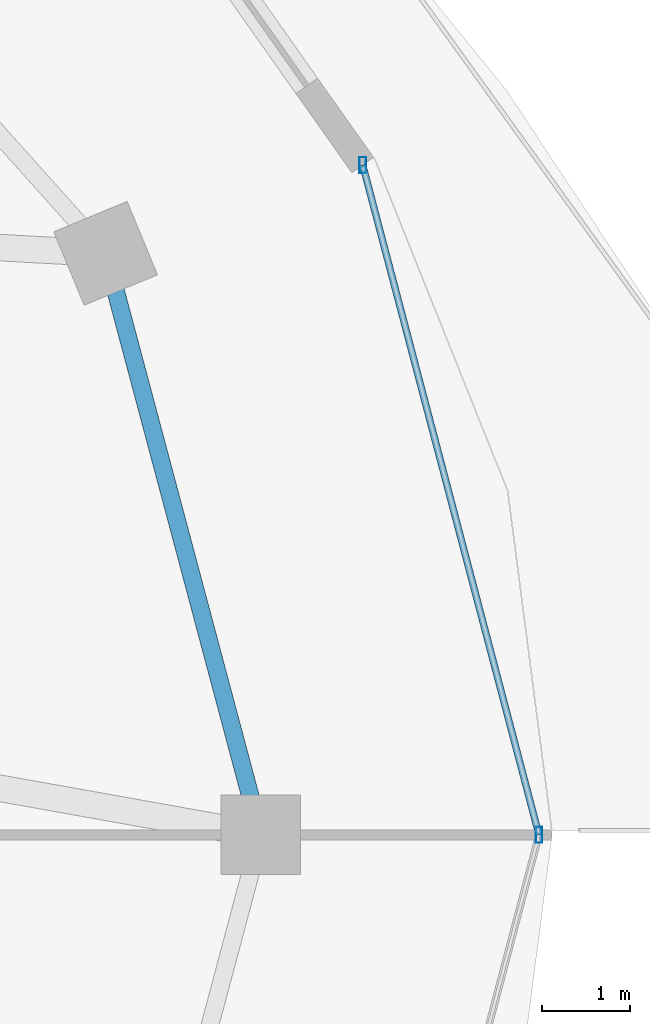
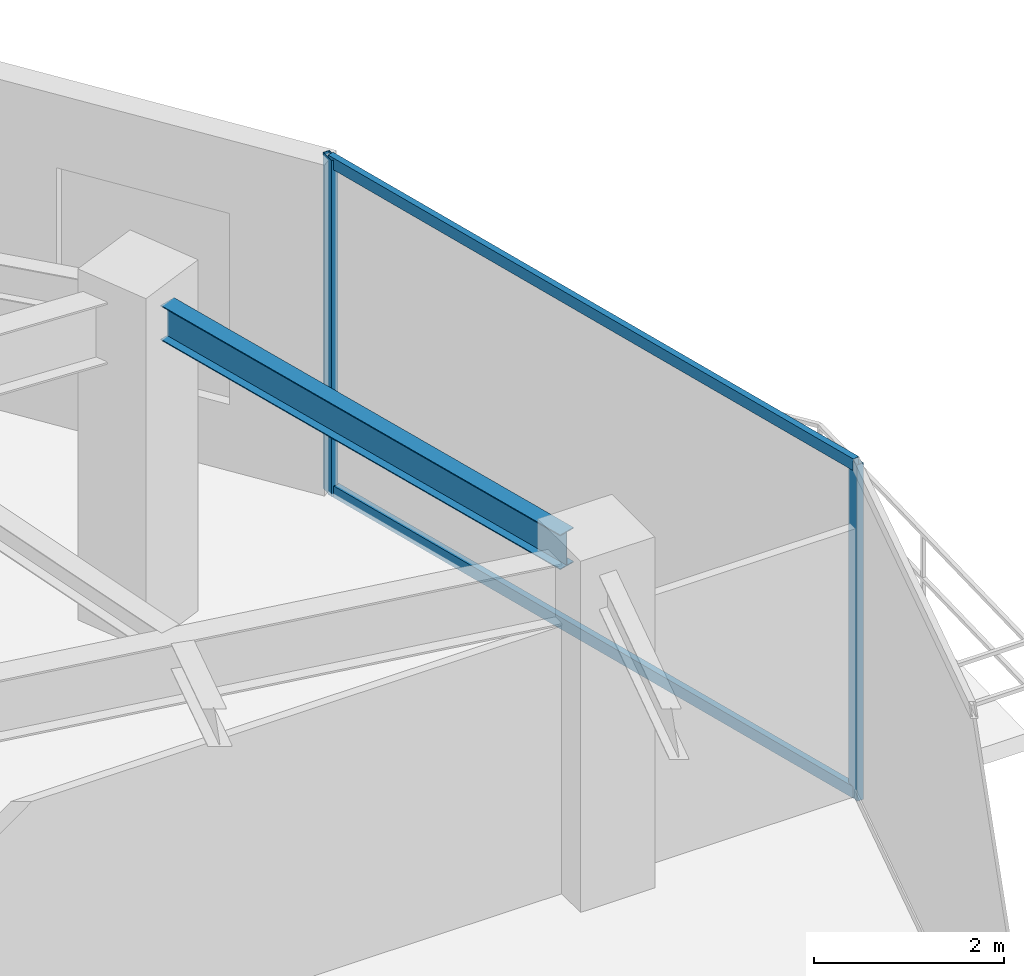
# One storey, part 15 of 27: 4 members, 1 beam, 1 element without a shape of its own.
"""IFC4 building model written with IfcOpenShell, lengths in metres."""

import ifcopenshell
import ifcopenshell.guid

model = None  # the IFC model being written
_history = None  # IfcOwnerHistory: only IFC2X3 demands one
_inside = {}  # id of a spatial element -> (the spatial element, [elements in it])
_under = {}  # id of a project, library or spatial element -> (it, [spatial elements below it])
_declared = {}  # id of a project -> (the project, [libraries it declares])
_typed = {}  # id of a type object -> (the type object, [elements of that type])
_made_of = {}  # id of a material, layer set ... -> (it, [elements and type objects made of it])


def new_model(schema):
    """Start an empty IFC model of exactly this schema.

    Asked for "IFC4X3", IfcOpenShell would pick the latest addendum, in which some entities
    have other attributes; the version numbers below select the first issue.
    IFC2X3 requires an IfcOwnerHistory on every rooted entity: one is made here for all.
    """
    global model, _history
    if schema == "IFC4X3":
        model = ifcopenshell.file(schema_version=(4, 3, 0, 0))
    else:
        model = ifcopenshell.file(schema=schema)
    _inside.clear()
    _under.clear()
    _declared.clear()
    _typed.clear()
    _made_of.clear()
    _history = None
    if model.schema == "IFC2X3":
        org = make("IfcOrganization", Name="unknown")
        user = make(
            "IfcPersonAndOrganization",
            ThePerson=make("IfcPerson", FamilyName="unknown"),
            TheOrganization=org,
        )
        app = make(
            "IfcApplication",
            ApplicationDeveloper=org,
            Version="unknown",
            ApplicationFullName="unknown",
            ApplicationIdentifier="unknown",
        )
        _history = make(
            "IfcOwnerHistory",
            OwningUser=user,
            OwningApplication=app,
            ChangeAction="ADDED",
            CreationDate=0,
        )
    return model


def make(cls, **values):
    """One entity of the class cls with the attributes given. An attribute that is None is left unset."""
    return model.create_entity(
        cls, **{name: value for name, value in values.items() if value is not None}
    )


def rooted(cls, **values):
    """An entity with a GlobalId (a new one), such as an element, a storey or a relation."""
    return make(cls, GlobalId=ifcopenshell.guid.new(), OwnerHistory=_history, **values)


def si_unit(unit_type, name, prefix=None):
    """IfcSIUnit, for example si_unit("LENGTHUNIT", "METRE", prefix="MILLI")."""
    return make("IfcSIUnit", UnitType=unit_type, Prefix=prefix, Name=name)


def assignment(units):
    """IfcUnitAssignment: the units of a project."""
    return None if units is None else make("IfcUnitAssignment", Units=units)


def point(xyz):
    """IfcCartesianPoint."""
    return None if xyz is None else make("IfcCartesianPoint", Coordinates=xyz)


def direction(xyz):
    """IfcDirection."""
    return None if xyz is None else make("IfcDirection", DirectionRatios=xyz)


def frame(location, z_axis=None, x_axis=None):
    """IfcAxis2Placement3D, a coordinate frame: its origin and axes. An axis left out is left unset."""
    return make(
        "IfcAxis2Placement3D",
        Location=point(location),
        Axis=direction(z_axis),
        RefDirection=direction(x_axis),
    )


def frame_2d(location, x_axis=None):
    """IfcAxis2Placement2D, a coordinate frame in the plane: its origin and x axis."""
    return make(
        "IfcAxis2Placement2D", Location=point(location), RefDirection=direction(x_axis)
    )


def origin():
    """The frame at (0, 0, 0) with its axes left unset."""
    return frame((0.0, 0.0, 0.0))


def origin_2d():
    """The frame at (0, 0) in the plane with its x axis left unset."""
    return frame_2d((0.0, 0.0))


def place(relative_to, where):
    """IfcLocalPlacement: puts the frame where relative to a parent placement (None: the world)."""
    return make(
        "IfcLocalPlacement", PlacementRelTo=relative_to, RelativePlacement=where
    )


def context(
    kind, dimensions, precision=None, world=None, true_north=None, identifier=None
):
    """IfcGeometricRepresentationContext, for example the 3D "Model" context."""
    return make(
        "IfcGeometricRepresentationContext",
        ContextIdentifier=identifier,
        ContextType=kind,
        CoordinateSpaceDimension=dimensions,
        Precision=precision,
        WorldCoordinateSystem=world,
        TrueNorth=true_north,
    )


def subcontext(parent, identifier, kind, view, scale=None):
    """IfcGeometricRepresentationSubContext, for example "Body" below "Model"."""
    return make(
        "IfcGeometricRepresentationSubContext",
        ContextIdentifier=identifier,
        ContextType=kind,
        ParentContext=parent,
        TargetScale=scale,
        TargetView=view,
    )


def project(units=None, contexts=None):
    """IfcProject with its units and contexts."""
    return rooted(
        "IfcProject",
        Name="project",
        RepresentationContexts=contexts,
        UnitsInContext=assignment(units),
    )


def spatial(cls, under=None, at=None, **own):
    """A site, building, storey or space (cls), placed at a placement, below another one or the project."""
    s = rooted(cls, ObjectPlacement=at, **own)
    if under is not None:
        _under.setdefault(under.id(), (under, []))[1].append(s)
    return s


def profile(cls, at=None, kind="AREA", **sizes):
    """A parametric profile (cls). Its sizes go by their IFC names, for example OverallWidth=200.0."""
    return make(cls, ProfileType=kind, Position=at, **sizes)


def hollow_rectangle(**sizes):
    """IfcRectangleHollowProfileDef."""
    return profile("IfcRectangleHollowProfileDef", **sizes)


def i_section(**sizes):
    """IfcIShapeProfileDef."""
    return profile("IfcIShapeProfileDef", **sizes)


def extrude(swept, where, along, depth):
    """IfcExtrudedAreaSolid: the profile swept, set in the frame where, extruded along a direction by depth."""
    return make(
        "IfcExtrudedAreaSolid",
        SweptArea=swept,
        Position=where,
        ExtrudedDirection=direction(along),
        Depth=depth,
    )


def shape(context_of_items, identifier, shape_type, items):
    """IfcShapeRepresentation: the items that make up one representation, for example the "Body"."""
    return make(
        "IfcShapeRepresentation",
        ContextOfItems=context_of_items,
        RepresentationIdentifier=identifier,
        RepresentationType=shape_type,
        Items=items,
    )


def material(Name=None, Category=None):
    """IfcMaterial."""
    return make("IfcMaterial", Name=Name, Category=Category)


def material_profile(
    of_material, cross_section, Name=None, Category=None, Priority=None
):
    """IfcMaterialProfile: a cross section and its material."""
    return make(
        "IfcMaterialProfile",
        Name=Name,
        Material=of_material,
        Profile=cross_section,
        Priority=Priority,
        Category=Category,
    )


def profile_set(profiles, Name=None, composite=None):
    """IfcMaterialProfileSet."""
    return make(
        "IfcMaterialProfileSet",
        Name=Name,
        MaterialProfiles=profiles,
        CompositeProfile=composite,
    )


def made_of(thing, what):
    """Note that an element or type object is made of a material, layer set ...; save() writes the relation."""
    if what is not None:
        _made_of.setdefault(what.id(), (what, []))[1].append(thing)
    return thing


def type_object(cls, material=None, **own):
    """A type object (cls), such as IfcWallType, which elements share."""
    return made_of(rooted(cls, **own), material)


def element(
    cls,
    number,
    at=None,
    inside=None,
    cuts=None,
    type_object=None,
    material=None,
    context=None,
    identifier="Body",
    shape_type=None,
    held_by="IfcProductDefinitionShape",
    body=None,
    shapes=None,
    **own,
):
    """One element of the class cls, such as IfcWall. Its Tag is "e" and its number.

    at: its placement. inside: the storey or other place that contains it. cuts: it is an
    opening in that element (IfcRelVoidsElement). A single representation is given by context,
    identifier, shape_type and body (its items); several are given by shapes. held_by: the class
    of the entity that holds the representations. save() writes the other relations.
    """
    e = rooted(cls, Tag="e%d" % number, ObjectPlacement=at, **own)
    if body is not None:
        shapes = [shape(context, identifier, shape_type, body)]
    if shapes is not None:
        e.Representation = make(held_by, Representations=shapes)
    if inside is not None:
        _inside.setdefault(inside.id(), (inside, []))[1].append(e)
    if cuts is not None:
        rooted(
            "IfcRelVoidsElement", RelatingBuildingElement=cuts, RelatedOpeningElement=e
        )
    if type_object is not None:
        _typed.setdefault(type_object.id(), (type_object, []))[1].append(e)
    return made_of(e, material)


def aggregate(whole, parts):
    """IfcRelAggregates: a whole, such as a stair, and the parts it consists of."""
    return rooted("IfcRelAggregates", RelatingObject=whole, RelatedObjects=parts)


def save(model, path):
    """Write the relations noted so far, then the file.

    IfcRelAggregates (storeys below a building ...), IfcRelContainedInSpatialStructure (elements
    in a storey), IfcRelDefinesByType, IfcRelAssociatesMaterial and IfcRelDeclares: one each for
    every whole, place, type object, material and project.
    """
    for whole, parts in _under.values():
        aggregate(whole, parts)
    for where, things in _inside.values():
        rooted(
            "IfcRelContainedInSpatialStructure",
            RelatedElements=things,
            RelatingStructure=where,
        )
    for kind, things in _typed.values():
        rooted("IfcRelDefinesByType", RelatedObjects=things, RelatingType=kind)
    for what, things in _made_of.values():
        rooted("IfcRelAssociatesMaterial", RelatedObjects=things, RelatingMaterial=what)
    for by, libraries in _declared.values():
        rooted("IfcRelDeclares", RelatingContext=by, RelatedDefinitions=libraries)
    model.write(path)


model = new_model("IFC4")

# Units and contexts
model_context = context("Model", 3, precision=1e-05, world=origin(), true_north=direction((0.0, 1.0)))
body_context = subcontext(model_context, "Body", "Model", "MODEL_VIEW")
ifc_project = project(units=[si_unit("LENGTHUNIT", "METRE"), si_unit("AREAUNIT", "SQUARE_METRE"), si_unit("VOLUMEUNIT", "CUBIC_METRE"), si_unit("PLANEANGLEUNIT", "RADIAN"), si_unit("MASSUNIT", "GRAM", prefix="KILO")], contexts=[model_context])

# Site, building, storey
site_placement = place(None, origin())
site = spatial("IfcSite", under=ifc_project, at=site_placement, CompositionType="ELEMENT")
building_placement = place(site_placement, origin())
building = spatial("IfcBuilding", under=site, at=building_placement, Name="Vorneva Point Tower", CompositionType="ELEMENT")
storey_placement = place(building_placement, frame((0.0, 0.0, 229.75)))
storey = spatial("IfcBuildingStorey", under=building, at=storey_placement, Name="L62", CompositionType="ELEMENT", Elevation=229.75)

# Beam
ifc_material_1 = material(Name="Steel S355", Category="steel")
ifc_material_profile_1 = material_profile(ifc_material_1, i_section(OverallWidth=0.198974609375, OverallDepth=0.446044921875, WebThickness=0.008056640625, FlangeThickness=0.011962890625, at=origin_2d()), Name="45B1")
ifc_profile_set_1 = profile_set([ifc_material_profile_1], Name="Steel S355")
beam_type = type_object("IfcBeamType", Name="BM-SPN-45B1", PredefinedType="SPANDREL", material=ifc_profile_set_1)
beam_placement = place(storey_placement, frame((60.93798828125, 26.42041015625, 4.01708984375), z_axis=(-0.257578258003, 0.966257440336, 0.0), x_axis=(-0.966257440336, -0.257578258003, 0.0)))
element("IfcBeam", 1, at=beam_placement, inside=storey, type_object=beam_type, Name="L62 Perimeter Spandrel Ring Beam 01", PredefinedType="SPANDREL", context=body_context, shape_type="SweptSolid", body=[
    extrude(i_section(OverallWidth=0.198974609375, OverallDepth=0.446044921875, WebThickness=0.008056640625, FlangeThickness=0.011962890625, at=origin_2d()), origin(), (0.0, 0.0, 1.0), 5.94189453125),
])

# Curtain wall, members
ifc_material_2 = material(Name="Pale anodised aluminium", Category="aluminium")
curtain_wall_type = type_object("IfcCurtainWallType", Name="CW-SKY-SYS", PredefinedType="NOTDEFINED", material=ifc_material_2)
curtain_wall_placement = place(storey_placement, origin())
curtain_wall = element("IfcCurtainWall", 2, at=curtain_wall_placement, inside=storey, type_object=curtain_wall_type, Name="L62 Unitised Curtain Wall CW-L62-R01", PredefinedType="NOTDEFINED")
ifc_material_profile_2 = material_profile(ifc_material_2, hollow_rectangle(XDim=0.074951171875, YDim=0.179931640625, WallThickness=0.00390625, at=origin_2d()), Name="AL-MUL 180x75x4")
ifc_profile_set_2 = profile_set([ifc_material_profile_2], Name="Pale anodised aluminium")
member_type_1 = type_object("IfcMemberType", Name="CW-MUL-180", PredefinedType="MULLION", material=ifc_profile_set_2)
member_1_placement = place(storey_placement, frame((64.199951171875, 26.0, -0.0400390625), z_axis=(0.0, 0.0, 1.0), x_axis=(1.0, 0.0, 0.0)))
member_1 = element("IfcMember", 3, at=member_1_placement, type_object=member_type_1, Name="CW-L62-R01 Mullion 03", PredefinedType="MULLION", context=body_context, shape_type="SweptSolid", body=[
    extrude(hollow_rectangle(XDim=0.074951171875, YDim=0.179931640625, WallThickness=0.00390625, at=origin_2d()), origin(), (0.0, 0.0, 1.0), 4.31005859375),
])
member_2_placement = place(storey_placement, frame((62.20556640625, 33.5810546875, -0.0400390625), z_axis=(0.0, 0.0, 1.0), x_axis=(1.0, 0.0, 0.0)))
member_2 = element("IfcMember", 4, at=member_2_placement, type_object=member_type_1, Name="CW-L62-R01 Mullion 04", PredefinedType="MULLION", context=body_context, shape_type="SweptSolid", body=[
    extrude(hollow_rectangle(XDim=0.074951171875, YDim=0.179931640625, WallThickness=0.00390625, at=origin_2d()), origin(), (0.0, 0.0, 1.0), 4.31005859375),
])
ifc_material_profile_3 = material_profile(ifc_material_2, hollow_rectangle(XDim=0.074951171875, YDim=0.14990234375, WallThickness=0.00390625, at=origin_2d()), Name="AL-TRN 150x75x4")
ifc_profile_set_3 = profile_set([ifc_material_profile_3], Name="Pale anodised aluminium")
member_type_2 = type_object("IfcMemberType", Name="CW-TRN-150", PredefinedType="USERDEFINED", material=ifc_profile_set_3)
member_3_placement = place(storey_placement, frame((64.199951171875, 26.0, 0.02001953125), z_axis=(-0.254418180926, 0.967094302131, 0.0), x_axis=(-0.967094302131, -0.254418180926, 0.0)))
member_3 = element("IfcMember", 5, at=member_3_placement, type_object=member_type_2, Name="CW-L62-R01 Transom 03.1", ObjectType="TRANSOM", PredefinedType="USERDEFINED", context=body_context, shape_type="SweptSolid", body=[
    extrude(hollow_rectangle(XDim=0.074951171875, YDim=0.14990234375, WallThickness=0.00390625, at=origin_2d()), origin(), (0.0, 0.0, 1.0), 7.839111328125),
])
member_4_placement = place(storey_placement, frame((64.199951171875, 26.0, 4.219970703125), z_axis=(-0.254418180926, 0.967094302131, 0.0), x_axis=(-0.967094302131, -0.254418180926, 0.0)))
member_4 = element("IfcMember", 6, at=member_4_placement, type_object=member_type_2, Name="CW-L62-R01 Transom 03.2", ObjectType="TRANSOM", PredefinedType="USERDEFINED", context=body_context, shape_type="SweptSolid", body=[
    extrude(hollow_rectangle(XDim=0.074951171875, YDim=0.14990234375, WallThickness=0.00390625, at=origin_2d()), origin(), (0.0, 0.0, 1.0), 7.839111328125),
])
aggregate(curtain_wall, [member_1, member_2, member_3, member_4])

save(model, "model.ifc")
